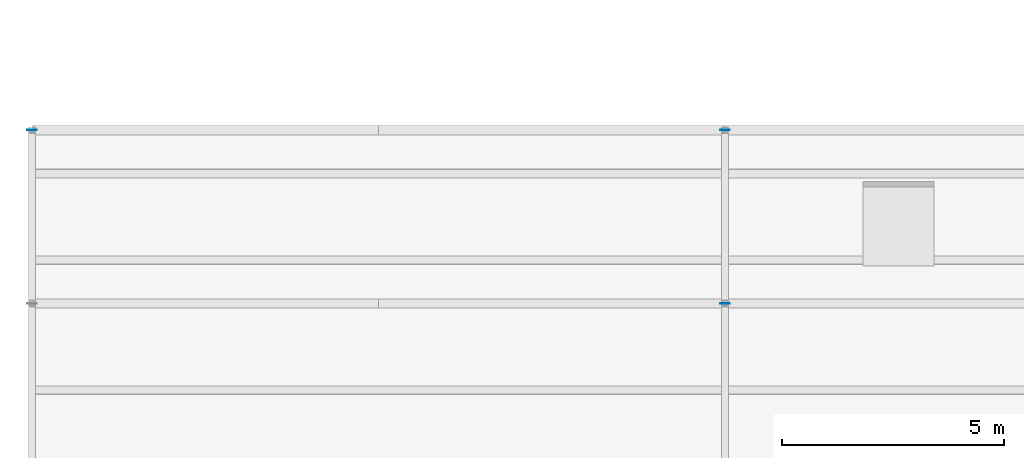
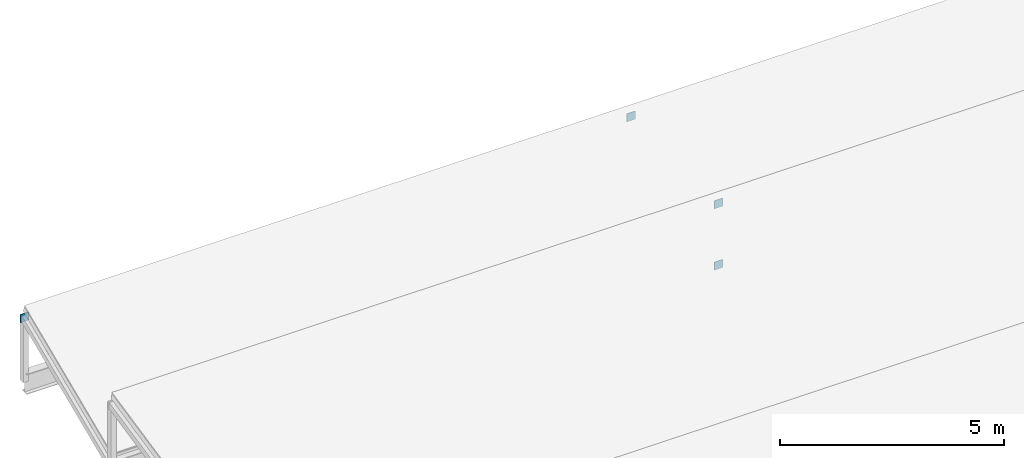
# One storey, part 57 of 89: 4 plates.
"""IFC4 building model written with IfcOpenShell, lengths in metres."""

from ifc_helpers import new_model, si_unit, direction, frame, origin, origin_2d, place, context, subcontext, project, spatial, rectangle, extrude, material, layer, layer_set, type_object, element, save


model = new_model("IFC4")

# Units and contexts
model_context = context("Model", 3, precision=1e-05, world=origin(), true_north=direction((0.0, 1.0)))
body_context = subcontext(model_context, "Body", "Model", "MODEL_VIEW")
ifc_project = project(units=[si_unit("LENGTHUNIT", "METRE"), si_unit("AREAUNIT", "SQUARE_METRE"), si_unit("VOLUMEUNIT", "CUBIC_METRE"), si_unit("PLANEANGLEUNIT", "RADIAN"), si_unit("MASSUNIT", "GRAM", prefix="KILO")], contexts=[model_context])

# Site, building, storey
site_placement = place(None, origin())
site = spatial("IfcSite", under=ifc_project, at=site_placement, CompositionType="ELEMENT")
building_placement = place(site_placement, origin())
building = spatial("IfcBuilding", under=site, at=building_placement, Name="Celorna Specialist Clinic", CompositionType="ELEMENT")
storey_placement = place(building_placement, frame((0.0, 0.0, 14.10009765625)))
storey = spatial("IfcBuildingStorey", under=building, at=storey_placement, Name="L03", CompositionType="ELEMENT", Elevation=14.10009765625)

# Plates
ifc_material = material(Name="Steel S355", Category="steel")
ifc_layer = layer(ifc_material, 0.01611328125, Name="Steel S355")
ifc_layer_set = layer_set([ifc_layer], Name="Steel S355")
plate_type = type_object("IfcPlateType", Name="EP-04", PredefinedType="SHEET", material=ifc_layer_set)
for number, where, z_axis, x_axis, name in (
    (1, (15.60009765625, 58.5, 1.35791015625), (0.0, 0.0, 1.0), (1.0, 0.0, 0.0), "Rafter chord cap plate ROOF-V2-SAW-3"),
    (2, (0.0, 62.39990234375, 1.35791015625), (0.0, 0.0, 1.0), (1.0, 0.0, 0.0), "Rafter chord cap plate ROOF-V2-SAW-4"),
    (3, (15.60009765625, 58.5, -0.31201171875), (0.0, 0.0, 1.0), (1.0, 0.0, 0.0), "Rafter chord cap plate ROOF-V2-SAW-4"),
    (4, (15.60009765625, 62.39990234375, 1.35791015625), (0.0, 0.0, 1.0), (1.0, 0.0, 0.0), "Rafter chord cap plate ROOF-V2-SAW-4"),
):
    element("IfcPlate", number, at=place(storey_placement, frame(where, z_axis=z_axis, x_axis=x_axis)), inside=storey, type_object=plate_type, Name=name, PredefinedType="SHEET", context=body_context, shape_type="SweptSolid", body=[
        extrude(rectangle(XDim=0.219970703125, YDim=0.013916015625, at=origin_2d()), origin(), (0.0, 0.0, 1.0), 0.219970703125),
    ])

save(model, "model.ifc")
